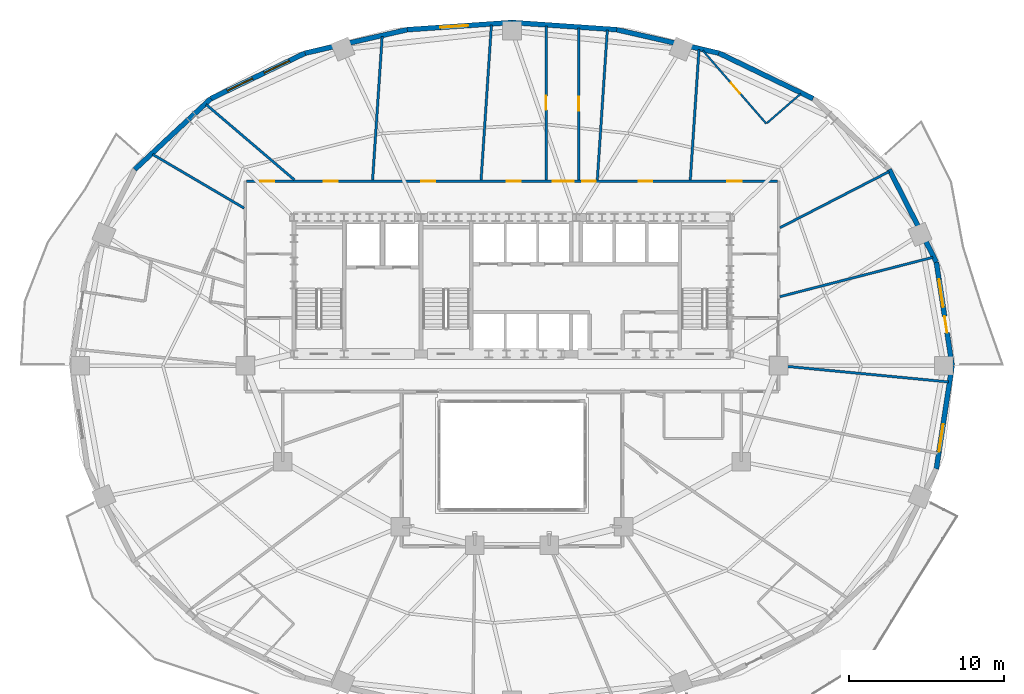
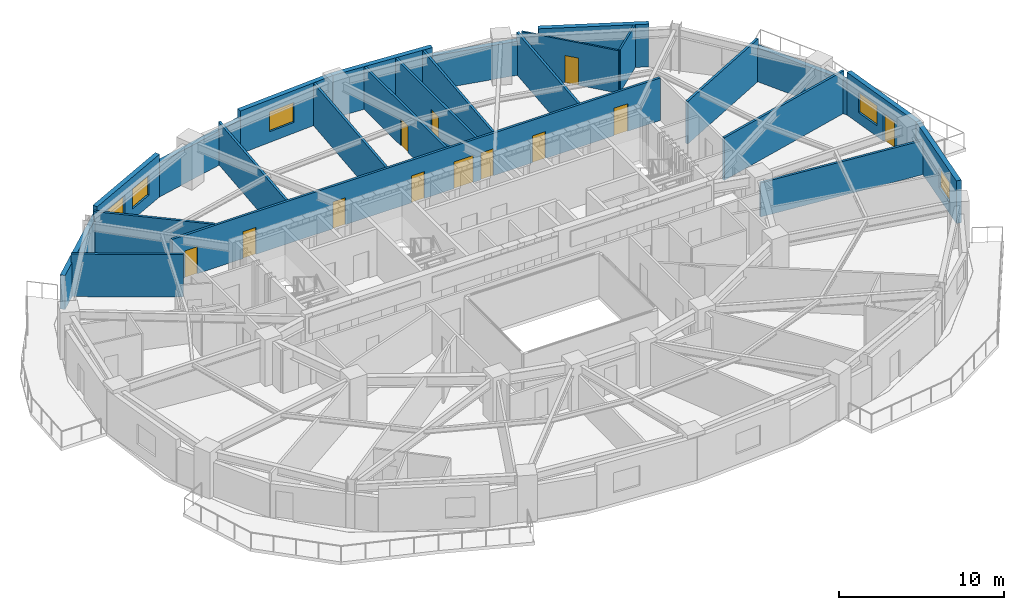
# One storey, part 10 of 14: 24 walls, 12 doors, 5 windows, 17 openings.
"""IFC4 building model written with IfcOpenShell, lengths in metres."""

from ifc_helpers import new_model, si_unit, direction, frame, frame_2d, origin, place, context, subcontext, project, spatial, rectangle, extrude, material, layer, layer_set, type_object, element, fill, save


model = new_model("IFC4")

# Units and contexts
model_context = context("Model", 3, precision=1e-05, world=origin(), true_north=direction((0.0, 1.0)))
body_context = subcontext(model_context, "Body", "Model", "MODEL_VIEW")
ifc_project = project(units=[si_unit("LENGTHUNIT", "METRE"), si_unit("AREAUNIT", "SQUARE_METRE"), si_unit("VOLUMEUNIT", "CUBIC_METRE"), si_unit("PLANEANGLEUNIT", "RADIAN"), si_unit("MASSUNIT", "GRAM", prefix="KILO")], contexts=[model_context])

# Site, building, storey
site_placement = place(None, origin())
site = spatial("IfcSite", under=ifc_project, at=site_placement, CompositionType="ELEMENT")
building_placement = place(site_placement, origin())
building = spatial("IfcBuilding", under=site, at=building_placement, Name="Haldorwick Loom Tower", CompositionType="ELEMENT")
storey_placement = place(building_placement, frame((0.0, 0.0, 102.5)))
storey = spatial("IfcBuildingStorey", under=building, at=storey_placement, Name="L27", CompositionType="ELEMENT", Elevation=102.5)

# Wall, openings, door, window
ifc_material_1 = material(Name="Pressed Clay Face Brick and Insulated Masonry Backup Assembly", Category="masonry")
ifc_layer_1 = layer(ifc_material_1, 0.320068359375, Name="Pressed Clay Face Brick and Insulated Masonry Backup Assembly", Category="masonry")
ifc_layer_set_1 = layer_set([ifc_layer_1], Name="Pressed Clay Face Brick and Insulated Masonry Backup Assembly")
wall_type_1 = type_object("IfcWallType", Name="ARC-WL-EXT320", PredefinedType="STANDARD", material=ifc_layer_set_1)
wall_1_placement = place(storey_placement, frame((64.397705078125, 26.0, 0.0), z_axis=(0.0, 0.0, 1.0), x_axis=(-0.150633288003, 0.988589708901, 0.0)))
wall_1 = element("IfcWall", 1, at=wall_1_placement, inside=storey, type_object=wall_type_1, Name="L27 Brick Pier and Spandrel Wall 1", PredefinedType="STANDARD", context=body_context, shape_type="SweptSolid", body=[
    extrude(rectangle(XDim=6.752197265625, YDim=0.320068359375, at=frame_2d((3.3759765625, 0.0))), origin(), (0.0, 0.0, 1.0), 3.169921875),
])
opening_1_placement = place(wall_1_placement, frame((2.144287109375, 0.0, 0.0)))
opening_1 = element("IfcOpeningElement", 2, at=opening_1_placement, cuts=wall_1, Name="Opening D-BL11", PredefinedType="OPENING", context=body_context, shape_type="SweptSolid", body=[
    extrude(rectangle(XDim=1.080078125, YDim=2.0400390625, at=frame_2d((0.5400390625, 1.02001953125))), frame((0.0, 0.169921875, 0.0), z_axis=(0.0, -1.0, 0.0), x_axis=(1.0, 0.0, 0.0)), (0.0, 0.0, 1.0), 0.340087890625),
])
opening_2_placement = place(wall_1_placement, frame((3.826416015625, 0.0, 0.800048828125)))
opening_2 = element("IfcOpeningElement", 3, at=opening_2_placement, cuts=wall_1, Name="Opening W-01", PredefinedType="OPENING", context=body_context, shape_type="SweptSolid", body=[
    extrude(rectangle(XDim=1.800048828125, YDim=1.47998046875, at=frame_2d((0.89990234375, 0.739990234375))), frame((0.0, 0.169921875, 0.0), z_axis=(0.0, -1.0, 0.0), x_axis=(1.0, 0.0, 0.0)), (0.0, 0.0, 1.0), 0.340087890625),
])
ifc_material_2 = material(Name="Thermally Broken Anodized Aluminium Curtain Wall Framing", Category="aluminium")
door_type_1 = type_object("IfcDoorType", Name="ARC-DR-BAL110", OperationType="NOTDEFINED", PredefinedType="DOOR", material=ifc_material_2)
door_1_placement = place(opening_1_placement, origin())
door_1 = element("IfcDoor", 4, at=door_1_placement, inside=storey, type_object=door_type_1, Name="L27 Outdoor Terrace Door SLB-L27-BAL_ENE", OperationType="SINGLE_SWING_RIGHT", OverallHeight=2.0400390625, OverallWidth=1.080078125, PredefinedType="DOOR", context=body_context, shape_type="SweptSolid", body=[
    extrude(rectangle(XDim=1.080078125, YDim=2.0400390625, at=frame_2d((0.5400390625, 1.02001953125))), frame((0.0, 0.02490234375, 0.0), z_axis=(0.0, -1.0, 0.0), x_axis=(1.0, 0.0, 0.0)), (0.0, 0.0, 1.0), 0.050048828125),
])
fill(opening_1, door_1)
ifc_material_3 = material(Name="Triple-Glazed Low-E Argon Insulated Glazing Unit", Category="glass")
window_type = type_object("IfcWindowType", Name="ARC-WIN-W180", PartitioningType="SINGLE_PANEL", PredefinedType="WINDOW", material=ifc_material_3)
window_1_placement = place(opening_2_placement, origin())
window_1 = element("IfcWindow", 5, at=window_1_placement, inside=storey, type_object=window_type, Name="L27 Deep-Set Zone 7A Window 1", OverallHeight=1.47998046875, OverallWidth=1.800048828125, PartitioningType="SINGLE_PANEL", PredefinedType="WINDOW", context=body_context, shape_type="SweptSolid", body=[
    extrude(rectangle(XDim=1.800048828125, YDim=1.47998046875, at=frame_2d((0.89990234375, 0.739990234375))), frame((0.0, 0.030029296875, 0.0), z_axis=(0.0, -1.0, 0.0), x_axis=(1.0, 0.0, 0.0)), (0.0, 0.0, 1.0), 0.06005859375),
])
fill(opening_2, window_1)

# Walls
wall_2_placement = place(storey_placement, frame((63.380615234375, 32.675048828125, 0.0), z_axis=(0.0, 0.0, 1.0), x_axis=(-0.453374078001, 0.89132033826, 0.0)))
element("IfcWall", 6, at=wall_2_placement, inside=storey, type_object=wall_type_1, Name="L27 Brick Pier and Spandrel Wall 2", PredefinedType="STANDARD", context=body_context, shape_type="SweptSolid", body=[
    extrude(rectangle(XDim=6.709716796875, YDim=0.320068359375, at=frame_2d((3.35498046875, 0.0))), origin(), (0.0, 0.0, 1.0), 2.529052734375),
])
wall_3_placement = place(storey_placement, frame((55.426513671875, 43.2255859375, 0.0), z_axis=(0.0, 0.0, 1.0), x_axis=(-0.900510094661, 0.434835106004, 0.0)))
element("IfcWall", 7, at=wall_3_placement, inside=storey, type_object=wall_type_1, Name="L27 Brick Pier and Spandrel Wall 4", PredefinedType="STANDARD", context=body_context, shape_type="SweptSolid", body=[
    extrude(rectangle(XDim=6.744873046875, YDim=0.320068359375, at=frame_2d((3.37255859375, 0.0))), origin(), (0.0, 0.0, 1.0), 3.169921875),
])
wall_4_placement = place(storey_placement, frame((49.352783203125, 46.158447265625, 0.0), z_axis=(0.0, 0.0, 1.0), x_axis=(-0.974584177714, 0.224021607329, 0.0)))
element("IfcWall", 8, at=wall_4_placement, inside=storey, type_object=wall_type_1, Name="L27 Brick Pier and Spandrel Wall 5", PredefinedType="STANDARD", context=body_context, shape_type="SweptSolid", body=[
    extrude(rectangle(XDim=6.767822265625, YDim=0.320068359375, at=frame_2d((3.3837890625, 0.0))), origin(), (0.0, 0.0, 1.0), 2.529052734375),
])
wall_5_placement = place(storey_placement, frame((42.757080078125, 47.674560546875, 0.0), z_axis=(0.0, 0.0, 1.0), x_axis=(-0.997651949344, 0.068487867318, 0.0)))
element("IfcWall", 9, at=wall_5_placement, inside=storey, type_object=wall_type_1, Name="L27 Brick Pier and Spandrel Wall 6", PredefinedType="STANDARD", context=body_context, shape_type="SweptSolid", body=[
    extrude(rectangle(XDim=6.77294921875, YDim=0.320068359375, at=frame_2d((3.386474609375, 0.0))), origin(), (0.0, 0.0, 1.0), 3.169921875),
])

# Wall, opening, window
wall_6_placement = place(storey_placement, frame((36.0, 48.138427734375, 0.0), z_axis=(0.0, 0.0, 1.0), x_axis=(-0.997651949344, -0.068487867318, 0.0)))
wall_6 = element("IfcWall", 10, at=wall_6_placement, inside=storey, type_object=wall_type_1, Name="L27 Brick Pier and Spandrel Wall 7", PredefinedType="STANDARD", context=body_context, shape_type="SweptSolid", body=[
    extrude(rectangle(XDim=6.77294921875, YDim=0.320068359375, at=frame_2d((3.386474609375, 0.0))), origin(), (0.0, 0.0, 1.0), 3.169921875),
])
opening_3_placement = place(wall_6_placement, frame((2.84423828125, 0.0, 0.800048828125)))
opening_3 = element("IfcOpeningElement", 11, at=opening_3_placement, cuts=wall_6, Name="Opening W-01", PredefinedType="OPENING", context=body_context, shape_type="SweptSolid", body=[
    extrude(rectangle(XDim=1.800048828125, YDim=1.47998046875, at=frame_2d((0.89990234375, 0.739990234375))), frame((0.0, 0.169921875, 0.0), z_axis=(0.0, -1.0, 0.0), x_axis=(1.0, 0.0, 0.0)), (0.0, 0.0, 1.0), 0.340087890625),
])
window_2_placement = place(opening_3_placement, origin())
window_2 = element("IfcWindow", 12, at=window_2_placement, inside=storey, type_object=window_type, Name="L27 Deep-Set Zone 7A Window 7", OverallHeight=1.47998046875, OverallWidth=1.800048828125, PartitioningType="SINGLE_PANEL", PredefinedType="WINDOW", context=body_context, shape_type="SweptSolid", body=[
    extrude(rectangle(XDim=1.800048828125, YDim=1.47998046875, at=frame_2d((0.89990234375, 0.739990234375))), frame((0.0, 0.030029296875, 0.0), z_axis=(0.0, -1.0, 0.0), x_axis=(1.0, 0.0, 0.0)), (0.0, 0.0, 1.0), 0.06005859375),
])
fill(opening_3, window_2)

# Wall
wall_7_placement = place(storey_placement, frame((29.242919921875, 47.674560546875, 0.0), z_axis=(0.0, 0.0, 1.0), x_axis=(-0.974584177714, -0.224021607329, 0.0)))
element("IfcWall", 13, at=wall_7_placement, inside=storey, type_object=wall_type_1, Name="L27 Brick Pier and Spandrel Wall 8", PredefinedType="STANDARD", context=body_context, shape_type="SweptSolid", body=[
    extrude(rectangle(XDim=6.767822265625, YDim=0.320068359375, at=frame_2d((3.3837890625, 0.0))), origin(), (0.0, 0.0, 1.0), 2.529052734375),
])

# Wall, openings, windows
wall_8_placement = place(storey_placement, frame((22.647216796875, 46.158447265625, 0.0), z_axis=(0.0, 0.0, 1.0), x_axis=(-0.900510094661, -0.434835106004, 0.0)))
wall_8 = element("IfcWall", 14, at=wall_8_placement, inside=storey, type_object=wall_type_1, Name="L27 Brick Pier and Spandrel Wall 9", PredefinedType="STANDARD", context=body_context, shape_type="SweptSolid", body=[
    extrude(rectangle(XDim=6.744873046875, YDim=0.320068359375, at=frame_2d((3.37255859375, 0.0))), origin(), (0.0, 0.0, 1.0), 3.169921875),
])
opening_4_placement = place(wall_8_placement, frame((1.123291015625, 0.0, 0.800048828125)))
opening_4 = element("IfcOpeningElement", 15, at=opening_4_placement, cuts=wall_8, Name="Opening W-01", PredefinedType="OPENING", context=body_context, shape_type="SweptSolid", body=[
    extrude(rectangle(XDim=1.800048828125, YDim=1.47998046875, at=frame_2d((0.89990234375, 0.739990234375))), frame((0.0, 0.169921875, 0.0), z_axis=(0.0, -1.0, 0.0), x_axis=(1.0, 0.0, 0.0)), (0.0, 0.0, 1.0), 0.340087890625),
])
opening_5_placement = place(wall_8_placement, frame((3.763916015625, 0.0, 0.800048828125)))
opening_5 = element("IfcOpeningElement", 16, at=opening_5_placement, cuts=wall_8, Name="Opening W-01", PredefinedType="OPENING", context=body_context, shape_type="SweptSolid", body=[
    extrude(rectangle(XDim=1.800048828125, YDim=1.47998046875, at=frame_2d((0.89990234375, 0.739990234375))), frame((0.0, 0.169921875, 0.0), z_axis=(0.0, -1.0, 0.0), x_axis=(1.0, 0.0, 0.0)), (0.0, 0.0, 1.0), 0.340087890625),
])
window_3_placement = place(opening_4_placement, origin())
window_3 = element("IfcWindow", 17, at=window_3_placement, inside=storey, type_object=window_type, Name="L27 Deep-Set Zone 7A Window 9", OverallHeight=1.47998046875, OverallWidth=1.800048828125, PartitioningType="SINGLE_PANEL", PredefinedType="WINDOW", context=body_context, shape_type="SweptSolid", body=[
    extrude(rectangle(XDim=1.800048828125, YDim=1.47998046875, at=frame_2d((0.89990234375, 0.739990234375))), frame((0.0, 0.030029296875, 0.0), z_axis=(0.0, -1.0, 0.0), x_axis=(1.0, 0.0, 0.0)), (0.0, 0.0, 1.0), 0.06005859375),
])
fill(opening_4, window_3)
window_4_placement = place(opening_5_placement, origin())
window_4 = element("IfcWindow", 18, at=window_4_placement, inside=storey, type_object=window_type, Name="L27 Deep-Set Zone 7A Window 9", OverallHeight=1.47998046875, OverallWidth=1.800048828125, PartitioningType="SINGLE_PANEL", PredefinedType="WINDOW", context=body_context, shape_type="SweptSolid", body=[
    extrude(rectangle(XDim=1.800048828125, YDim=1.47998046875, at=frame_2d((0.89990234375, 0.739990234375))), frame((0.0, 0.030029296875, 0.0), z_axis=(0.0, -1.0, 0.0), x_axis=(1.0, 0.0, 0.0)), (0.0, 0.0, 1.0), 0.06005859375),
])
fill(opening_5, window_4)

# Wall
wall_9_placement = place(storey_placement, frame((16.573486328125, 43.2255859375, 0.0), z_axis=(0.0, 0.0, 1.0), x_axis=(-0.732137360086, -0.681157020052, 0.0)))
element("IfcWall", 19, at=wall_9_placement, inside=storey, type_object=wall_type_1, Name="L27 Brick Pier and Spandrel Wall 10", PredefinedType="STANDARD", context=body_context, shape_type="SweptSolid", body=[
    extrude(rectangle(XDim=6.709228515625, YDim=0.320068359375, at=frame_2d((3.3544921875, 0.0))), origin(), (0.0, 0.0, 1.0), 2.529052734375),
])

# Wall, opening, window
wall_10_placement = place(storey_placement, frame((63.380615234375, 19.324951171875, 0.0), z_axis=(0.0, 0.0, 1.0), x_axis=(0.150633288003, 0.988589708901, 0.0)))
wall_10 = element("IfcWall", 20, at=wall_10_placement, inside=storey, type_object=wall_type_1, Name="L27 Brick Pier and Spandrel Wall 24", PredefinedType="STANDARD", context=body_context, shape_type="SweptSolid", body=[
    extrude(rectangle(XDim=6.752197265625, YDim=0.320068359375, at=frame_2d((3.3759765625, 0.0))), origin(), (0.0, 0.0, 1.0), 3.169921875),
])
opening_6_placement = place(wall_10_placement, frame((1.12548828125, 0.0, 0.800048828125)))
opening_6 = element("IfcOpeningElement", 21, at=opening_6_placement, cuts=wall_10, Name="Opening W-01", PredefinedType="OPENING", context=body_context, shape_type="SweptSolid", body=[
    extrude(rectangle(XDim=1.800048828125, YDim=1.47998046875, at=frame_2d((0.89990234375, 0.739990234375))), frame((0.0, 0.169921875, 0.0), z_axis=(0.0, -1.0, 0.0), x_axis=(1.0, 0.0, 0.0)), (0.0, 0.0, 1.0), 0.340087890625),
])
window_5_placement = place(opening_6_placement, origin())
window_5 = element("IfcWindow", 22, at=window_5_placement, inside=storey, type_object=window_type, Name="L27 Deep-Set Zone 7A Window 24", OverallHeight=1.47998046875, OverallWidth=1.800048828125, PartitioningType="SINGLE_PANEL", PredefinedType="WINDOW", context=body_context, shape_type="SweptSolid", body=[
    extrude(rectangle(XDim=1.800048828125, YDim=1.47998046875, at=frame_2d((0.89990234375, 0.739990234375))), frame((0.0, 0.030029296875, 0.0), z_axis=(0.0, -1.0, 0.0), x_axis=(1.0, 0.0, 0.0)), (0.0, 0.0, 1.0), 0.06005859375),
])
fill(opening_6, window_5)

# Wall, openings, doors
ifc_material_4 = material(Name="Fire-Rated Type X Gypsum Stud Assembly EI 60")
ifc_layer_2 = layer(ifc_material_4, 0.159912109375, Name="Fire-Rated Type X Gypsum Stud Assembly EI 60")
ifc_layer_set_2 = layer_set([ifc_layer_2], Name="Fire-Rated Type X Gypsum Stud Assembly EI 60")
wall_type_2 = type_object("IfcWallType", Name="ARC-WL-FIRE160", PredefinedType="PARTITIONING", material=ifc_layer_set_2)
wall_11_placement = place(storey_placement, frame((18.883056640625, 37.89990234375, 0.0), z_axis=(0.0, 0.0, 1.0), x_axis=(1.0, 0.0, 0.0)))
wall_11 = element("IfcWall", 23, at=wall_11_placement, inside=storey, type_object=wall_type_2, Name="L27 Residential Fire Partition L27-CR-N0", PredefinedType="PARTITIONING", context=body_context, shape_type="SweptSolid", body=[
    extrude(rectangle(XDim=34.23388671875, YDim=0.159912109375, at=frame_2d((17.116943359375, 0.0))), origin(), (0.0, 0.0, 1.0), 3.155029296875),
])
opening_7_placement = place(wall_11_placement, frame((19.7548828125, 0.0, 0.0)))
opening_7 = element("IfcOpeningElement", 24, at=opening_7_placement, cuts=wall_11, Name="Opening D-CR15", PredefinedType="OPENING", context=body_context, shape_type="SweptSolid", body=[
    extrude(rectangle(XDim=1.35009765625, YDim=2.0, at=frame_2d((0.675048828125, 1.0))), frame((0.0, 0.08984375, 0.0), z_axis=(0.0, -1.0, 0.0), x_axis=(1.0, 0.0, 0.0)), (0.0, 0.0, 1.0), 0.179931640625),
])
opening_8_placement = place(wall_11_placement, frame((11.255859375, 0.0, 0.0)))
opening_8 = element("IfcOpeningElement", 25, at=opening_8_placement, cuts=wall_11, Name="Opening D-FD60A", PredefinedType="OPENING", context=body_context, shape_type="SweptSolid", body=[
    extrude(rectangle(XDim=0.89990234375, YDim=2.0, at=frame_2d((0.449951171875, 1.0))), frame((0.0, 0.08984375, 0.0), z_axis=(0.0, -1.0, 0.0), x_axis=(1.0, 0.0, 0.0)), (0.0, 0.0, 1.0), 0.179931640625),
])
opening_9_placement = place(wall_11_placement, frame((25.28076171875, 0.0, 0.0)))
opening_9 = element("IfcOpeningElement", 26, at=opening_9_placement, cuts=wall_11, Name="Opening D-FD60A", PredefinedType="OPENING", context=body_context, shape_type="SweptSolid", body=[
    extrude(rectangle(XDim=0.89990234375, YDim=2.0, at=frame_2d((0.449951171875, 1.0))), frame((0.0, 0.08984375, 0.0), z_axis=(0.0, -1.0, 0.0), x_axis=(1.0, 0.0, 0.0)), (0.0, 0.0, 1.0), 0.179931640625),
])
opening_10_placement = place(wall_11_placement, frame((4.961181640625, 0.0, 0.0)))
opening_10 = element("IfcOpeningElement", 27, at=opening_10_placement, cuts=wall_11, Name="Opening D-FD60A", PredefinedType="OPENING", context=body_context, shape_type="SweptSolid", body=[
    extrude(rectangle(XDim=0.89990234375, YDim=2.0, at=frame_2d((0.449951171875, 1.0))), frame((0.0, 0.08984375, 0.0), z_axis=(0.0, -1.0, 0.0), x_axis=(1.0, 0.0, 0.0)), (0.0, 0.0, 1.0), 0.179931640625),
])
opening_11_placement = place(wall_11_placement, frame((30.998291015625, 0.0, 0.0)))
opening_11 = element("IfcOpeningElement", 28, at=opening_11_placement, cuts=wall_11, Name="Opening D-FL95", PredefinedType="OPENING", context=body_context, shape_type="SweptSolid", body=[
    extrude(rectangle(XDim=0.949951171875, YDim=2.0400390625, at=frame_2d((0.47509765625, 1.02001953125))), frame((0.0, 0.08984375, 0.0), z_axis=(0.0, -1.0, 0.0), x_axis=(1.0, 0.0, 0.0)), (0.0, 0.0, 1.0), 0.179931640625),
])
opening_12_placement = place(wall_11_placement, frame((16.77734375, 0.0, 0.0)))
opening_12 = element("IfcOpeningElement", 29, at=opening_12_placement, cuts=wall_11, Name="Opening D-FD60A", PredefinedType="OPENING", context=body_context, shape_type="SweptSolid", body=[
    extrude(rectangle(XDim=0.89990234375, YDim=2.0, at=frame_2d((0.449951171875, 1.0))), frame((0.0, 0.08984375, 0.0), z_axis=(0.0, -1.0, 0.0), x_axis=(1.0, 0.0, 0.0)), (0.0, 0.0, 1.0), 0.179931640625),
])
opening_13_placement = place(wall_11_placement, frame((0.8701171875, 0.0, 0.0)))
opening_13 = element("IfcOpeningElement", 30, at=opening_13_placement, cuts=wall_11, Name="Opening D-FD60A", PredefinedType="OPENING", context=body_context, shape_type="SweptSolid", body=[
    extrude(rectangle(XDim=0.89990234375, YDim=2.0, at=frame_2d((0.449951171875, 1.0))), frame((0.0, 0.08984375, 0.0), z_axis=(0.0, -1.0, 0.0), x_axis=(1.0, 0.0, 0.0)), (0.0, 0.0, 1.0), 0.179931640625),
])
opening_14_placement = place(wall_11_placement, frame((21.636474609375, 0.0, 0.0)))
opening_14 = element("IfcOpeningElement", 31, at=opening_14_placement, cuts=wall_11, Name="Opening D-FD60A", PredefinedType="OPENING", context=body_context, shape_type="SweptSolid", body=[
    extrude(rectangle(XDim=0.89990234375, YDim=2.0, at=frame_2d((0.449951171875, 1.0))), frame((0.0, 0.08984375, 0.0), z_axis=(0.0, -1.0, 0.0), x_axis=(1.0, 0.0, 0.0)), (0.0, 0.0, 1.0), 0.179931640625),
])
ifc_material_5 = material(Name="Thermally Broken Anodized Aluminium and Tempered Glass", Category="aluminium")
door_type_2 = type_object("IfcDoorType", Name="ARC-DR-COR150", OperationType="NOTDEFINED", PredefinedType="DOOR", material=ifc_material_5)
door_2_placement = place(opening_7_placement, origin())
door_2 = element("IfcDoor", 32, at=door_2_placement, inside=storey, type_object=door_type_2, Name="L27 L27 North Daylight Corridor to L27 North Residential Corridor Door", OperationType="DOUBLE_DOOR_SINGLE_SWING", OverallHeight=2.0, OverallWidth=1.35009765625, PredefinedType="DOOR", context=body_context, shape_type="SweptSolid", body=[
    extrude(rectangle(XDim=1.35009765625, YDim=2.0, at=frame_2d((0.675048828125, 1.0))), frame((0.0, 0.02490234375, 0.0), z_axis=(0.0, -1.0, 0.0), x_axis=(1.0, 0.0, 0.0)), (0.0, 0.0, 1.0), 0.050048828125),
])
fill(opening_7, door_2)
ifc_material_6 = material(Name="Hollow Steel Fire Door Assembly", Category="steel")
door_type_3 = type_object("IfcDoorType", Name="ARC-DR-FD60-90", OperationType="NOTDEFINED", PredefinedType="DOOR", material=ifc_material_6)
door_3_placement = place(opening_8_placement, frame((0.89990234375, 0.0, 0.0), z_axis=(0.0, 0.0, 1.0), x_axis=(-1.0, 0.0, 0.0)))
door_3 = element("IfcDoor", 33, at=door_3_placement, inside=storey, type_object=door_type_3, Name="L27 Co-Working Open Office 4 to L27 North Residential Corridor Door", OperationType="SINGLE_SWING_RIGHT", OverallHeight=2.0, OverallWidth=0.89990234375, PredefinedType="DOOR", context=body_context, shape_type="SweptSolid", body=[
    extrude(rectangle(XDim=0.89990234375, YDim=2.0, at=frame_2d((0.449951171875, 1.0))), frame((0.0, 0.02490234375, 0.0), z_axis=(0.0, -1.0, 0.0), x_axis=(1.0, 0.0, 0.0)), (0.0, 0.0, 1.0), 0.050048828125),
])
fill(opening_8, door_3)
door_4_placement = place(opening_9_placement, frame((0.89990234375, 0.0, 0.0), z_axis=(0.0, 0.0, 1.0), x_axis=(-1.0, 0.0, 0.0)))
door_4 = element("IfcDoor", 34, at=door_4_placement, inside=storey, type_object=door_type_3, Name="L27 Co-Working Open Office 3 to L27 North Residential Corridor Door", OperationType="SINGLE_SWING_LEFT", OverallHeight=2.0, OverallWidth=0.89990234375, PredefinedType="DOOR", context=body_context, shape_type="SweptSolid", body=[
    extrude(rectangle(XDim=0.89990234375, YDim=2.0, at=frame_2d((0.449951171875, 1.0))), frame((0.0, 0.02490234375, 0.0), z_axis=(0.0, -1.0, 0.0), x_axis=(1.0, 0.0, 0.0)), (0.0, 0.0, 1.0), 0.050048828125),
])
fill(opening_9, door_4)
door_5_placement = place(opening_10_placement, frame((0.89990234375, 0.0, 0.0), z_axis=(0.0, 0.0, 1.0), x_axis=(-1.0, 0.0, 0.0)))
door_5 = element("IfcDoor", 35, at=door_5_placement, inside=storey, type_object=door_type_3, Name="L27 Co-Working Open Office 12 to L27 North Residential Corridor Door", OperationType="SINGLE_SWING_LEFT", OverallHeight=2.0, OverallWidth=0.89990234375, PredefinedType="DOOR", context=body_context, shape_type="SweptSolid", body=[
    extrude(rectangle(XDim=0.89990234375, YDim=2.0, at=frame_2d((0.449951171875, 1.0))), frame((0.0, 0.02490234375, 0.0), z_axis=(0.0, -1.0, 0.0), x_axis=(1.0, 0.0, 0.0)), (0.0, 0.0, 1.0), 0.050048828125),
])
fill(opening_10, door_5)
door_6_placement = place(opening_12_placement, frame((0.89990234375, 0.0, 0.0), z_axis=(0.0, 0.0, 1.0), x_axis=(-1.0, 0.0, 0.0)))
door_6 = element("IfcDoor", 36, at=door_6_placement, inside=storey, type_object=door_type_3, Name="L27 Co-Working Open Office 8 to L27 North Residential Corridor Door", OperationType="SINGLE_SWING_RIGHT", OverallHeight=2.0, OverallWidth=0.89990234375, PredefinedType="DOOR", context=body_context, shape_type="SweptSolid", body=[
    extrude(rectangle(XDim=0.89990234375, YDim=2.0, at=frame_2d((0.449951171875, 1.0))), frame((0.0, 0.02490234375, 0.0), z_axis=(0.0, -1.0, 0.0), x_axis=(1.0, 0.0, 0.0)), (0.0, 0.0, 1.0), 0.050048828125),
])
fill(opening_12, door_6)
door_7_placement = place(opening_13_placement, frame((0.89990234375, 0.0, 0.0), z_axis=(0.0, 0.0, 1.0), x_axis=(-1.0, 0.0, 0.0)))
door_7 = element("IfcDoor", 37, at=door_7_placement, inside=storey, type_object=door_type_3, Name="L27 Tenant Committee Meeting Room 17 to L27 North Residential Corridor D", OperationType="SINGLE_SWING_RIGHT", OverallHeight=2.0, OverallWidth=0.89990234375, PredefinedType="DOOR", context=body_context, shape_type="SweptSolid", body=[
    extrude(rectangle(XDim=0.89990234375, YDim=2.0, at=frame_2d((0.449951171875, 1.0))), frame((0.0, 0.02490234375, 0.0), z_axis=(0.0, -1.0, 0.0), x_axis=(1.0, 0.0, 0.0)), (0.0, 0.0, 1.0), 0.050048828125),
])
fill(opening_13, door_7)
door_8_placement = place(opening_14_placement, frame((0.89990234375, 0.0, 0.0), z_axis=(0.0, 0.0, 1.0), x_axis=(-1.0, 0.0, 0.0)))
door_8 = element("IfcDoor", 38, at=door_8_placement, inside=storey, type_object=door_type_3, Name="L27 Tenant Committee Meeting Room 9 to L27 North Residential Corridor Do", OperationType="SINGLE_SWING_LEFT", OverallHeight=2.0, OverallWidth=0.89990234375, PredefinedType="DOOR", context=body_context, shape_type="SweptSolid", body=[
    extrude(rectangle(XDim=0.89990234375, YDim=2.0, at=frame_2d((0.449951171875, 1.0))), frame((0.0, 0.02490234375, 0.0), z_axis=(0.0, -1.0, 0.0), x_axis=(1.0, 0.0, 0.0)), (0.0, 0.0, 1.0), 0.050048828125),
])
fill(opening_14, door_8)
ifc_material_7 = material(Name="Solid Core Birch Architectural Door")
door_type_4 = type_object("IfcDoorType", Name="ARC-DR-FLAT95", OperationType="NOTDEFINED", PredefinedType="DOOR", material=ifc_material_7)
door_9_placement = place(opening_11_placement, frame((0.949951171875, 0.0, 0.0), z_axis=(0.0, 0.0, 1.0), x_axis=(-1.0, 0.0, 0.0)))
door_9 = element("IfcDoor", 39, at=door_9_placement, inside=storey, type_object=door_type_4, Name="L27 Unit 27B Kitchen and Studio Living Room to L27 North Residential Cor", OperationType="SINGLE_SWING_RIGHT", OverallHeight=2.0400390625, OverallWidth=0.949951171875, PredefinedType="DOOR", context=body_context, shape_type="SweptSolid", body=[
    extrude(rectangle(XDim=0.949951171875, YDim=2.0400390625, at=frame_2d((0.47509765625, 1.02001953125))), frame((0.0, 0.02490234375, 0.0), z_axis=(0.0, -1.0, 0.0), x_axis=(1.0, 0.0, 0.0)), (0.0, 0.0, 1.0), 0.050048828125),
])
fill(opening_11, door_9)

# Wall, opening, door
wall_12_placement = place(storey_placement, frame((38.199951171875, 37.98291015625, 0.0), z_axis=(0.0, 0.0, 1.0), x_axis=(0.0, 1.0, 0.0)))
wall_12 = element("IfcWall", 40, at=wall_12_placement, inside=storey, type_object=wall_type_2, Name="L27 Residential Fire Partition L27-CR-NG0", PredefinedType="PARTITIONING", context=body_context, shape_type="SweptSolid", body=[
    extrude(rectangle(XDim=9.939208984375, YDim=0.159912109375, at=frame_2d((4.9697265625, 0.0))), origin(), (0.0, 0.0, 1.0), 3.155029296875),
])
opening_15_placement = place(wall_12_placement, frame((4.51953125, 0.0, 0.0)))
opening_15 = element("IfcOpeningElement", 41, at=opening_15_placement, cuts=wall_12, Name="Opening D-FD60A", PredefinedType="OPENING", context=body_context, shape_type="SweptSolid", body=[
    extrude(rectangle(XDim=0.89990234375, YDim=2.0, at=frame_2d((0.449951171875, 1.0))), frame((0.0, 0.08984375, 0.0), z_axis=(0.0, -1.0, 0.0), x_axis=(1.0, 0.0, 0.0)), (0.0, 0.0, 1.0), 0.179931640625),
])
door_10_placement = place(opening_15_placement, frame((0.89990234375, 0.0, 0.0), z_axis=(0.0, 0.0, 1.0), x_axis=(-1.0, 0.0, 0.0)))
door_10 = element("IfcDoor", 42, at=door_10_placement, inside=storey, type_object=door_type_3, Name="L27 Co-Working Open Office 8 to L27 North Daylight Corridor Door", OperationType="SINGLE_SWING_LEFT", OverallHeight=2.0, OverallWidth=0.89990234375, PredefinedType="DOOR", context=body_context, shape_type="SweptSolid", body=[
    extrude(rectangle(XDim=0.89990234375, YDim=2.0, at=frame_2d((0.449951171875, 1.0))), frame((0.0, 0.02490234375, 0.0), z_axis=(0.0, -1.0, 0.0), x_axis=(1.0, 0.0, 0.0)), (0.0, 0.0, 1.0), 0.050048828125),
])
fill(opening_15, door_10)

wall_13_placement = place(storey_placement, frame((40.300048828125, 37.98291015625, 0.0), z_axis=(0.0, 0.0, 1.0), x_axis=(0.0, 1.0, 0.0)))
wall_13 = element("IfcWall", 43, at=wall_13_placement, inside=storey, type_object=wall_type_2, Name="L27 Residential Fire Partition L27-CR-NG1", PredefinedType="PARTITIONING", context=body_context, shape_type="SweptSolid", body=[
    extrude(rectangle(XDim=9.795166015625, YDim=0.159912109375, at=frame_2d((4.8974609375, 0.0))), origin(), (0.0, 0.0, 1.0), 3.155029296875),
])
opening_16_placement = place(wall_13_placement, frame((4.447509765625, 0.0, 0.0)))
opening_16 = element("IfcOpeningElement", 44, at=opening_16_placement, cuts=wall_13, Name="Opening D-FD60A", PredefinedType="OPENING", context=body_context, shape_type="SweptSolid", body=[
    extrude(rectangle(XDim=0.89990234375, YDim=2.0, at=frame_2d((0.449951171875, 1.0))), frame((0.0, 0.08984375, 0.0), z_axis=(0.0, -1.0, 0.0), x_axis=(1.0, 0.0, 0.0)), (0.0, 0.0, 1.0), 0.179931640625),
])
door_11_placement = place(opening_16_placement, origin())
door_11 = element("IfcDoor", 45, at=door_11_placement, inside=storey, type_object=door_type_3, Name="L27 L27 North Daylight Corridor to Tenant Committee Meeting Room 9 Door", OperationType="SINGLE_SWING_RIGHT", OverallHeight=2.0, OverallWidth=0.89990234375, PredefinedType="DOOR", context=body_context, shape_type="SweptSolid", body=[
    extrude(rectangle(XDim=0.89990234375, YDim=2.0, at=frame_2d((0.449951171875, 1.0))), frame((0.0, 0.02490234375, 0.0), z_axis=(0.0, -1.0, 0.0), x_axis=(1.0, 0.0, 0.0)), (0.0, 0.0, 1.0), 0.050048828125),
])
fill(opening_16, door_11)

# Walls
wall_14_placement = place(storey_placement, frame((53.282958984375, 25.991943359375, 0.0), z_axis=(0.0, 0.0, 1.0), x_axis=(0.995396629951, -0.095841270243, 0.0)))
element("IfcWall", 46, at=wall_14_placement, inside=storey, type_object=wall_type_2, Name="L27 Residential Fire Partition L27-ICR-01", PredefinedType="PARTITIONING", context=body_context, shape_type="SweptSolid", body=[
    extrude(rectangle(XDim=10.938232421875, YDim=0.159912109375, at=frame_2d((5.46923828125, 0.0))), origin(), (0.0, 0.0, 1.0), 2.528076171875),
])
wall_15_placement = place(storey_placement, frame((27.005615234375, 37.98291015625, 0.0), z_axis=(0.0, 0.0, 1.0), x_axis=(0.06655745417, 0.997782594203, 0.0)))
element("IfcWall", 47, at=wall_15_placement, inside=storey, type_object=wall_type_2, Name="L27 Residential Fire Partition L27-UPN-13", PredefinedType="PARTITIONING", context=body_context, shape_type="SweptSolid", body=[
    extrude(rectangle(XDim=9.27294921875, YDim=0.159912109375, at=frame_2d((4.636474609375, 0.0))), origin(), (0.0, 0.0, 1.0), 3.155029296875),
])
wall_16_placement = place(storey_placement, frame((34.005615234375, 37.98291015625, 0.0), z_axis=(0.0, 0.0, 1.0), x_axis=(0.066556199818, 0.997782677874, 0.0)))
element("IfcWall", 48, at=wall_16_placement, inside=storey, type_object=wall_type_2, Name="L27 Residential Fire Partition L27-UPN-14", PredefinedType="PARTITIONING", context=body_context, shape_type="SweptSolid", body=[
    extrude(rectangle(XDim=10.021484375, YDim=0.159912109375, at=frame_2d((5.0107421875, 0.0))), origin(), (0.0, 0.0, 1.0), 3.155029296875),
])
wall_17_placement = place(storey_placement, frame((41.505615234375, 37.98291015625, 0.0), z_axis=(0.0, 0.0, 1.0), x_axis=(0.066544095566, 0.997783485204, 0.0)))
element("IfcWall", 49, at=wall_17_placement, inside=storey, type_object=wall_type_2, Name="L27 Residential Fire Partition L27-UPN-15", PredefinedType="PARTITIONING", context=body_context, shape_type="SweptSolid", body=[
    extrude(rectangle(XDim=9.689453125, YDim=0.159912109375, at=frame_2d((4.8447265625, 0.0))), origin(), (0.0, 0.0, 1.0), 3.155029296875),
])
wall_18_placement = place(storey_placement, frame((47.505615234375, 37.98291015625, 0.0), z_axis=(0.0, 0.0, 1.0), x_axis=(0.066547866509, 0.997783233705, 0.0)))
element("IfcWall", 50, at=wall_18_placement, inside=storey, type_object=wall_type_2, Name="L27 Residential Fire Partition L27-UPN-16", PredefinedType="PARTITIONING", context=body_context, shape_type="SweptSolid", body=[
    extrude(rectangle(XDim=8.423095703125, YDim=0.159912109375, at=frame_2d((4.21142578125, 0.0))), origin(), (0.0, 0.0, 1.0), 3.155029296875),
])
wall_19_placement = place(storey_placement, frame((53.282958984375, 34.89111328125, 0.0), z_axis=(0.0, 0.0, 1.0), x_axis=(0.889233421812, 0.45745373704, 0.0)))
element("IfcWall", 51, at=wall_19_placement, inside=storey, type_object=wall_type_2, Name="L27 Suite Split Wall", PredefinedType="PARTITIONING", context=body_context, shape_type="SweptSolid", body=[
    extrude(rectangle(XDim=7.9306640625, YDim=0.159912109375, at=frame_2d((3.96533203125, 0.0))), origin(), (0.0, 0.0, 1.0), 3.155029296875),
])
wall_20_placement = place(storey_placement, frame((18.717041015625, 36.157958984375, 0.0), z_axis=(0.0, 0.0, 1.0), x_axis=(-0.862123648981, 0.506697951316, 0.0)))
element("IfcWall", 52, at=wall_20_placement, inside=storey, type_object=wall_type_2, Name="L27 Suite Split Wall", PredefinedType="PARTITIONING", context=body_context, shape_type="SweptSolid", body=[
    extrude(rectangle(XDim=6.85595703125, YDim=0.159912109375, at=frame_2d((3.427978515625, 0.0))), origin(), (0.0, 0.0, 1.0), 3.155029296875),
])
wall_21_placement = place(storey_placement, frame((53.282958984375, 30.4453125, 0.0), z_axis=(0.0, 0.0, 1.0), x_axis=(0.968484015362, 0.249075715374, 0.0)))
element("IfcWall", 53, at=wall_21_placement, inside=storey, type_object=wall_type_2, Name="L27 Suite Split Wall", PredefinedType="PARTITIONING", context=body_context, shape_type="SweptSolid", body=[
    extrude(rectangle(XDim=10.18896484375, YDim=0.159912109375, at=frame_2d((5.094482421875, 0.0))), origin(), (0.0, 0.0, 1.0), 3.155029296875),
])
wall_22_placement = place(storey_placement, frame((21.960205078125, 37.98291015625, 0.0), z_axis=(0.0, 0.0, 1.0), x_axis=(-0.76061669974, 0.649201229263, 0.0)))
element("IfcWall", 54, at=wall_22_placement, inside=storey, type_object=wall_type_2, Name="L27 Suite Split Wall", PredefinedType="PARTITIONING", context=body_context, shape_type="SweptSolid", body=[
    extrude(rectangle(XDim=7.491943359375, YDim=0.159912109375, at=frame_2d((3.74609375, 0.0))), origin(), (0.0, 0.0, 1.0), 3.155029296875),
])

# Wall, opening, door
ifc_material_8 = material(Name="Acoustic Gypsum Stud Assembly STC 55")
ifc_layer_3 = layer(ifc_material_8, 0.1201171875, Name="Acoustic Gypsum Stud Assembly STC 55")
ifc_layer_set_3 = layer_set([ifc_layer_3], Name="Acoustic Gypsum Stud Assembly STC 55")
wall_type_3 = type_object("IfcWallType", Name="ARC-WL-PART120", PredefinedType="PARTITIONING", material=ifc_layer_set_3)
wall_23_placement = place(storey_placement, frame((52.408203125, 41.60986328125, 0.0), z_axis=(0.0, 0.0, 1.0), x_axis=(-0.655734084019, 0.754991927808, 0.0)))
wall_23 = element("IfcWall", 55, at=wall_23_placement, inside=storey, type_object=wall_type_3, Name="L27 Unit 27B Interior Partition", PredefinedType="PARTITIONING", context=body_context, shape_type="SweptSolid", body=[
    extrude(rectangle(XDim=6.2548828125, YDim=0.1201171875, at=frame_2d((3.12744140625, 0.0))), origin(), (0.0, 0.0, 1.0), 3.155029296875),
])
opening_17_placement = place(wall_23_placement, frame((2.57568359375, 0.0, 0.0)))
opening_17 = element("IfcOpeningElement", 56, at=opening_17_placement, cuts=wall_23, Name="Opening D-BT88", PredefinedType="OPENING", context=body_context, shape_type="SweptSolid", body=[
    extrude(rectangle(XDim=0.8798828125, YDim=2.02001953125, at=frame_2d((0.43994140625, 1.010009765625))), frame((0.0, 0.070068359375, 0.0), z_axis=(0.0, -1.0, 0.0), x_axis=(1.0, 0.0, 0.0)), (0.0, 0.0, 1.0), 0.14013671875),
])
door_type_5 = type_object("IfcDoorType", Name="ARC-DR-BATH88", OperationType="NOTDEFINED", PredefinedType="DOOR", material=ifc_material_7)
door_12_placement = place(opening_17_placement, origin())
door_12 = element("IfcDoor", 57, at=door_12_placement, inside=storey, type_object=door_type_5, Name="L27 Unit 27B Kitchen and Studio Living Room to Unit 27B Bathroom Door", OperationType="SINGLE_SWING_RIGHT", OverallHeight=2.02001953125, OverallWidth=0.8798828125, PredefinedType="DOOR", context=body_context, shape_type="SweptSolid", body=[
    extrude(rectangle(XDim=0.8798828125, YDim=2.02001953125, at=frame_2d((0.43994140625, 1.010009765625))), frame((0.0, 0.02490234375, 0.0), z_axis=(0.0, -1.0, 0.0), x_axis=(1.0, 0.0, 0.0)), (0.0, 0.0, 1.0), 0.050048828125),
])
fill(opening_17, door_12)

# Wall
wall_24_placement = place(storey_placement, frame((52.455810546875, 41.651123046875, 0.0), z_axis=(0.0, 0.0, 1.0), x_axis=(0.754941397926, 0.655792258034, 0.0)))
element("IfcWall", 58, at=wall_24_placement, inside=storey, type_object=wall_type_3, Name="L27 Unit 27B Interior Partition", PredefinedType="PARTITIONING", context=body_context, shape_type="SweptSolid", body=[
    extrude(rectangle(XDim=2.87841796875, YDim=0.1201171875, at=frame_2d((1.439208984375, 0.0))), origin(), (0.0, 0.0, 1.0), 3.155029296875),
])

save(model, "model.ifc")
